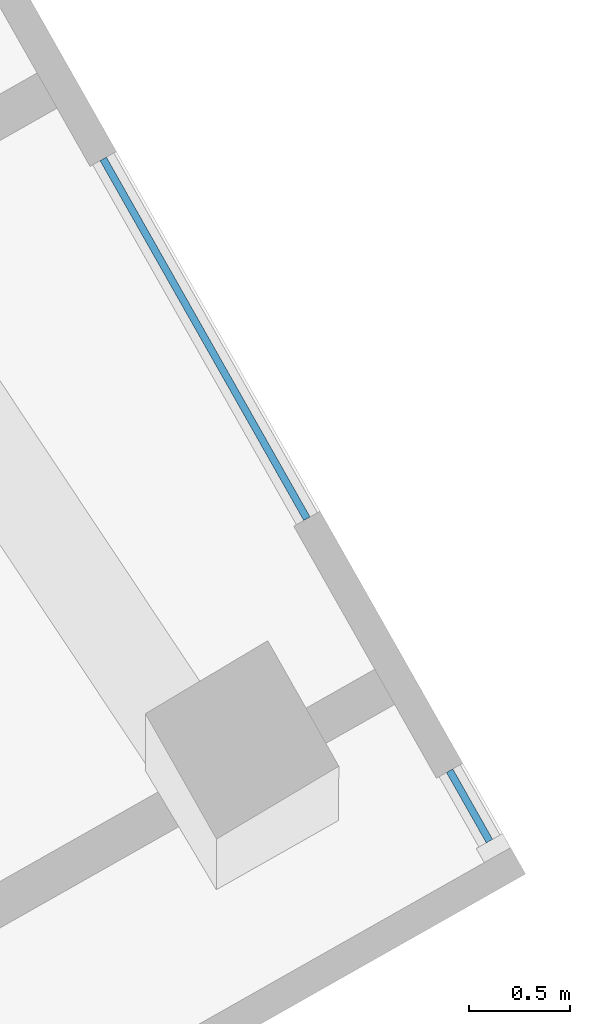
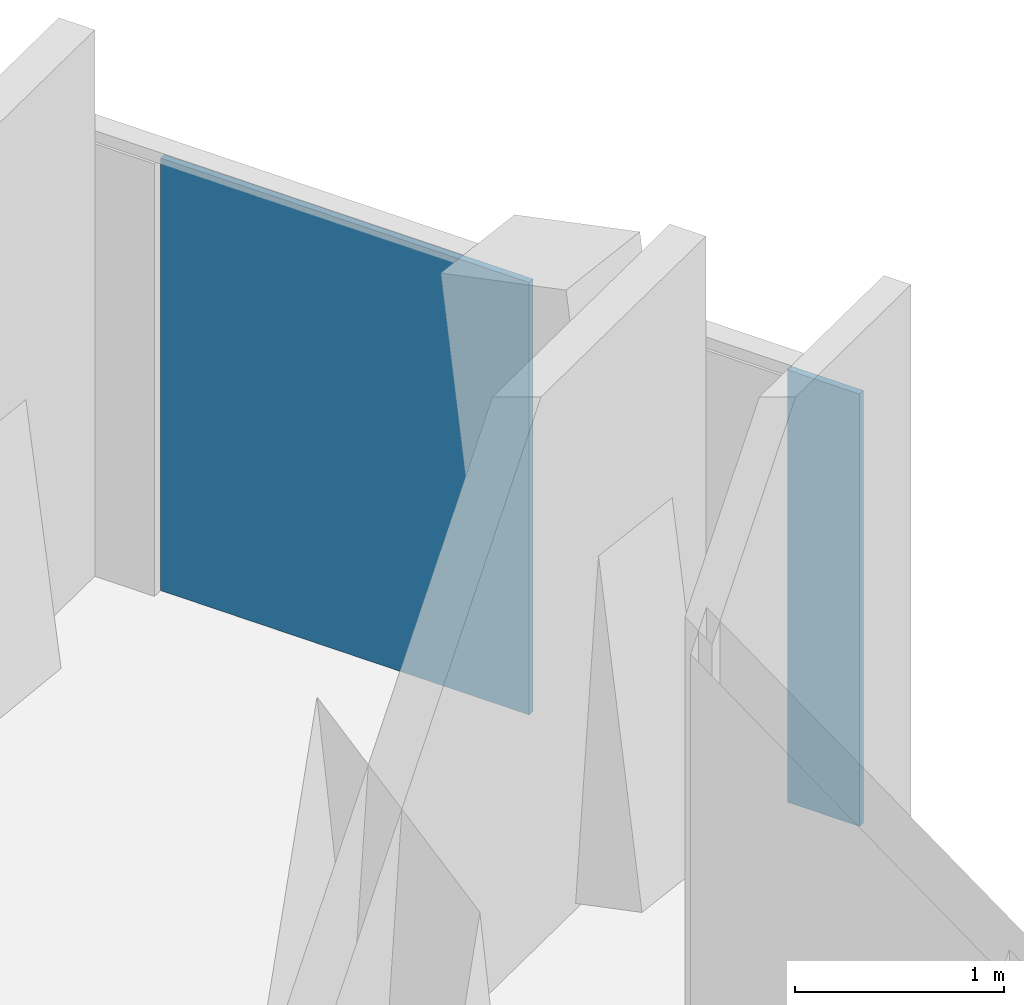
# One storey, part 15 of 24: 2 plates, 1 element without a shape of its own.
"""IFC4 building model written with IfcOpenShell, lengths in metres."""

from ifc_helpers import new_model, si_unit, direction, frame, origin, origin_2d, place, context, subcontext, project, spatial, rectangle, extrude, material, layer, layer_set, type_object, element, aggregate, save


model = new_model("IFC4")

# Units and contexts
model_context = context("Model", 3, precision=1e-05, world=origin(), true_north=direction((0.0, 1.0)))
body_context = subcontext(model_context, "Body", "Model", "MODEL_VIEW")
ifc_project = project(units=[si_unit("LENGTHUNIT", "METRE"), si_unit("AREAUNIT", "SQUARE_METRE"), si_unit("VOLUMEUNIT", "CUBIC_METRE"), si_unit("PLANEANGLEUNIT", "RADIAN"), si_unit("MASSUNIT", "GRAM", prefix="KILO")], contexts=[model_context])

# Site, building, storey
site_placement = place(None, origin())
site = spatial("IfcSite", under=ifc_project, at=site_placement, CompositionType="ELEMENT")
building_placement = place(site_placement, origin())
building = spatial("IfcBuilding", under=site, at=building_placement, Name="Verdalira Terraces Hotel", CompositionType="ELEMENT")
storey_placement = place(building_placement, frame((0.0, 0.0, 277.5)))
storey = spatial("IfcBuildingStorey", under=building, at=storey_placement, Name="L68", CompositionType="ELEMENT", Elevation=277.5)

# Curtain wall, plates
ifc_material_1 = material(Name="Clear glass", Category="glass")
ifc_layer_1 = layer(ifc_material_1, 0.14990234375)
ifc_layer_set_1 = layer_set([ifc_layer_1], Name="CW3 curtain wall")
curtain_wall_type = type_object("IfcCurtainWallType", Name="CW3 curtain wall", PredefinedType="NOTDEFINED", material=ifc_layer_set_1)
curtain_wall_placement = place(storey_placement, origin())
curtain_wall = element("IfcCurtainWall", 1, at=curtain_wall_placement, inside=storey, type_object=curtain_wall_type, Name="CW3 curtain wall L68 edge 33", PredefinedType="NOTDEFINED")
ifc_material_2 = material(Name="Clear glass", Category="glass")
ifc_layer_2 = layer(ifc_material_2, 0.035888671875)
ifc_layer_set_2 = layer_set([ifc_layer_2], Name="CW3 glass unit 36")
plate_type = type_object("IfcPlateType", Name="CW3 glass unit 36", PredefinedType="CURTAIN_PANEL", material=ifc_layer_set_2)
plate_1_placement = place(storey_placement, frame((37.826904, 18.580322, 0.0), z_axis=(0.0, 0.0, 1.0), x_axis=(-0.492727342, 0.870183755, 0.0)))
plate_1 = element("IfcPlate", 2, at=plate_1_placement, type_object=plate_type, Name="CW3 glass unit", PredefinedType="CURTAIN_PANEL", context=body_context, shape_type="SweptSolid", body=[
    extrude(rectangle(XDim=0.399902, YDim=0.035889, at=origin_2d()), origin(), (0.0, 0.0, 1.0), 2.524902),
])
plate_2_placement = place(storey_placement, frame((36.517822, 20.892334, 0.0), z_axis=(0.0, 0.0, 1.0), x_axis=(-0.492727342, 0.870183755, 0.0)))
plate_2 = element("IfcPlate", 3, at=plate_2_placement, type_object=plate_type, Name="CW3 glass unit", PredefinedType="CURTAIN_PANEL", context=body_context, shape_type="SweptSolid", body=[
    extrude(rectangle(XDim=2.046143, YDim=0.035889, at=origin_2d()), origin(), (0.0, 0.0, 1.0), 2.524902),
])
aggregate(curtain_wall, [plate_1, plate_2])

save(model, "model.ifc")
